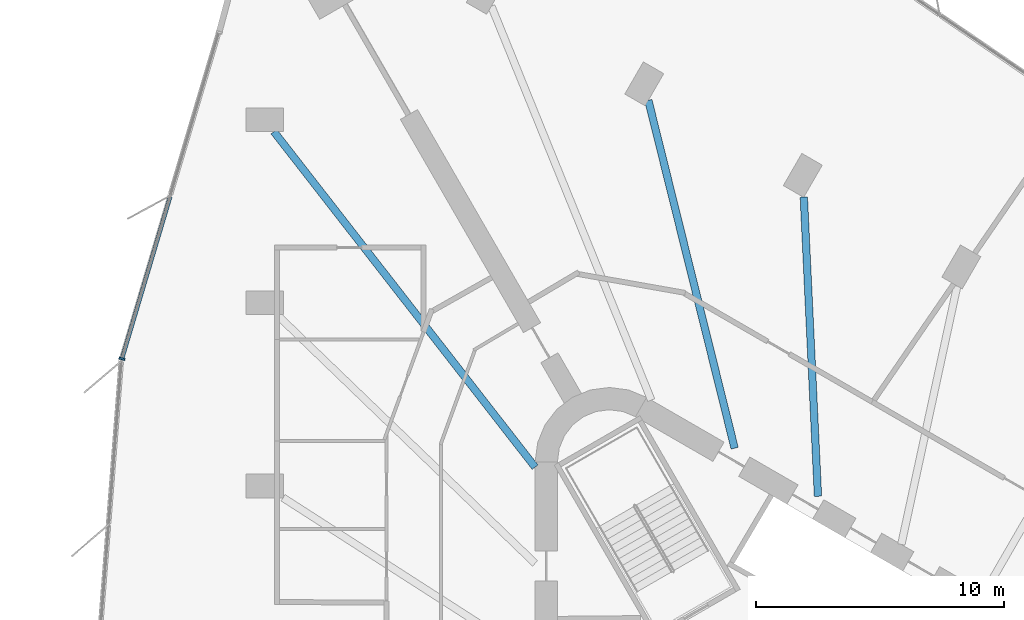
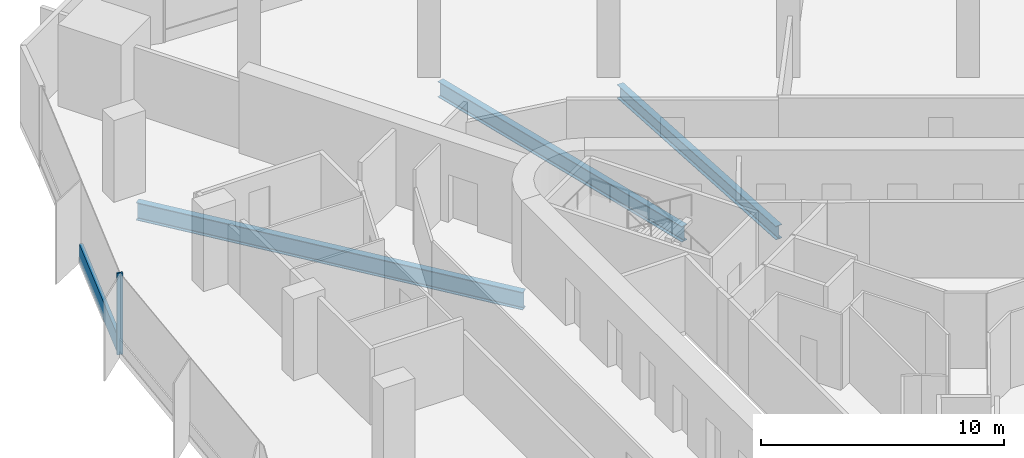
# One storey, part 4 of 15: 3 beams, 2 members, 1 element without a shape of its own.
"""IFC4 building model written with IfcOpenShell, lengths in metres."""

from ifc_helpers import new_model, si_unit, direction, frame, origin, origin_2d, place, context, subcontext, project, spatial, rectangle, i_section, extrude, material, material_profile, profile_set, type_object, element, aggregate, save


model = new_model("IFC4")

# Units and contexts
model_context = context("Model", 3, precision=1e-05, world=origin(), true_north=direction((0.0, 1.0)))
body_context = subcontext(model_context, "Body", "Model", "MODEL_VIEW")
ifc_project = project(units=[si_unit("LENGTHUNIT", "METRE"), si_unit("AREAUNIT", "SQUARE_METRE"), si_unit("VOLUMEUNIT", "CUBIC_METRE"), si_unit("PLANEANGLEUNIT", "RADIAN"), si_unit("MASSUNIT", "GRAM", prefix="KILO")], contexts=[model_context])

# Site, building, storey
site_placement = place(None, origin())
site = spatial("IfcSite", under=ifc_project, at=site_placement, CompositionType="ELEMENT")
building_placement = place(site_placement, origin())
building = spatial("IfcBuilding", under=site, at=building_placement, Name="Tanit Gate Tower", CompositionType="ELEMENT")
storey_placement = place(building_placement, frame((0.0, 0.0, 102.89990234375)))
storey = spatial("IfcBuildingStorey", under=building, at=storey_placement, Name="L21", CompositionType="ELEMENT", Elevation=102.89990234375)

# Curtain wall, member
ifc_material_1 = material(Name="Aluminium bronze anodised and glass", Category="aluminium")
curtain_wall_type = type_object("IfcCurtainWallType", Name="Curtain wall typical low", PredefinedType="NOTDEFINED", material=ifc_material_1)
curtain_wall_placement = place(storey_placement, origin())
curtain_wall = element("IfcCurtainWall", 1, at=curtain_wall_placement, inside=storey, type_object=curtain_wall_type, Name="Curtain wall L21 W1", PredefinedType="NOTDEFINED")
ifc_material_2 = material(Name="Aluminium bronze anodised", Category="aluminium")
ifc_material_profile_1 = material_profile(ifc_material_2, rectangle(XDim=0.239990234375, YDim=0.080078125, at=origin_2d()), Name="80x240 bronze mullion")
ifc_profile_set_1 = profile_set([ifc_material_profile_1], Name="Aluminium bronze anodised")
member_type_1 = type_object("IfcMemberType", Name="Mullion 80x240 typical low", PredefinedType="MULLION", material=ifc_profile_set_1)
member_1_placement = place(storey_placement, frame((-28.783935546875, 19.92041015625, -0.2998046875), z_axis=(0.0, 0.0, 1.0), x_axis=(0.958516563213, -0.285036836298, 0.0)))
member_1 = element("IfcMember", 2, at=member_1_placement, type_object=member_type_1, Name="Mullion L21 W1.3", PredefinedType="MULLION", context=body_context, shape_type="SweptSolid", body=[
    extrude(rectangle(XDim=0.239990234375, YDim=0.080078125, at=origin_2d()), origin(), (0.0, 0.0, 1.0), 4.099853515625),
])

# Beams
ifc_material_3 = material(Name="Steel S355", Category="steel")
ifc_material_profile_2 = material_profile(ifc_material_3, i_section(OverallWidth=0.300048828125, OverallDepth=0.68994140625, WebThickness=0.014404296875, FlangeThickness=0.027099609375, FilletRadius=0.027099609375, at=origin_2d()), Name="HEA 700")
ifc_profile_set_2 = profile_set([ifc_material_profile_2], Name="Steel S355")
beam_type_1 = type_object("IfcBeamType", Name="RADIAL GIRDER HEA 700 S355", PredefinedType="BEAM", material=ifc_profile_set_2)
beam_1_placement = place(storey_placement, frame((-1.251708984375, 26.447509765625, -0.64501953125), z_axis=(0.047276464158, -0.998881842831, 0.0), x_axis=(0.998881842831, 0.047276464158, 0.0)))
element("IfcBeam", 3, at=beam_1_placement, inside=storey, type_object=beam_type_1, Name="RADIAL GIRDER", PredefinedType="BEAM", context=body_context, shape_type="SweptSolid", body=[
    extrude(i_section(OverallWidth=0.300048828125, OverallDepth=0.68994140625, WebThickness=0.014404296875, FlangeThickness=0.027099609375, FilletRadius=0.027099609375, at=origin_2d()), origin(), (0.0, 0.0, 1.0), 12.09423828125),
])
ifc_material_4 = material(Name="Steel S355", Category="steel")
ifc_material_profile_3 = material_profile(ifc_material_4, i_section(OverallWidth=0.300048828125, OverallDepth=0.7900390625, WebThickness=0.014892578125, FlangeThickness=0.028076171875, FilletRadius=0.030029296875, at=origin_2d()), Name="HEA 800")
ifc_profile_set_3 = profile_set([ifc_material_profile_3], Name="Steel S355")
beam_type_2 = type_object("IfcBeamType", Name="RADIAL GIRDER HEA 800 S355", PredefinedType="BEAM", material=ifc_profile_set_3)
beam_2_placement = place(storey_placement, frame((-7.52978515625, 30.356689453125, -0.69482421875), z_axis=(0.240757007067, -0.970585423107, 0.0), x_axis=(0.970585423107, 0.240757007067, 0.0)))
element("IfcBeam", 4, at=beam_2_placement, inside=storey, type_object=beam_type_2, Name="RADIAL GIRDER", PredefinedType="BEAM", context=body_context, shape_type="SweptSolid", body=[
    extrude(i_section(OverallWidth=0.300048828125, OverallDepth=0.7900390625, WebThickness=0.014892578125, FlangeThickness=0.028076171875, FilletRadius=0.030029296875, at=origin_2d()), origin(), (0.0, 0.0, 1.0), 14.47265625),
])
ifc_material_5 = material(Name="Steel S355", Category="steel")
ifc_material_profile_4 = material_profile(ifc_material_5, i_section(OverallWidth=0.300048828125, OverallDepth=0.889892578125, WebThickness=0.01611328125, FlangeThickness=0.030029296875, FilletRadius=0.030029296875, at=origin_2d()), Name="HEA 900")
ifc_profile_set_4 = profile_set([ifc_material_profile_4], Name="Steel S355")
beam_type_3 = type_object("IfcBeamType", Name="RADIAL GIRDER HEA 900 S355", PredefinedType="BEAM", material=ifc_profile_set_4)
beam_3_placement = place(storey_placement, frame((-22.648193359375, 29.0908203125, -0.744873046875), z_axis=(0.614312702857, -0.789062673752, 0.0), x_axis=(0.789062673752, 0.614312702857, 0.0)))
element("IfcBeam", 5, at=beam_3_placement, inside=storey, type_object=beam_type_3, Name="RADIAL GIRDER", PredefinedType="BEAM", context=body_context, shape_type="SweptSolid", body=[
    extrude(i_section(OverallWidth=0.300048828125, OverallDepth=0.889892578125, WebThickness=0.01611328125, FlangeThickness=0.030029296875, FilletRadius=0.030029296875, at=origin_2d()), origin(), (0.0, 0.0, 1.0), 17.16748046875),
])

# Member
ifc_material_6 = material(Name="Aluminium bronze anodised", Category="aluminium")
ifc_material_profile_5 = material_profile(ifc_material_6, rectangle(XDim=0.159912109375, YDim=0.89990234375, at=origin_2d()), Name="160x900 bronze transom")
ifc_profile_set_5 = profile_set([ifc_material_profile_5], Name="Aluminium bronze anodised")
member_type_2 = type_object("IfcMemberType", Name="Transom 160x900 typical low", PredefinedType="USERDEFINED", material=ifc_profile_set_5)
member_2_placement = place(storey_placement, frame((-26.835205078125, 26.47314453125, 0.150146484375), z_axis=(-0.285043413726, -0.95851460724, 0.0), x_axis=(0.95851460724, -0.285043413726, 0.0)))
member_2 = element("IfcMember", 6, at=member_2_placement, type_object=member_type_2, Name="Transom L21 W1.2", ObjectType="TRANSOM", PredefinedType="USERDEFINED", context=body_context, shape_type="SweptSolid", body=[
    extrude(rectangle(XDim=0.159912109375, YDim=0.89990234375, at=origin_2d()), origin(), (0.0, 0.0, 1.0), 6.79638671875),
])

aggregate(curtain_wall, [member_1, member_2])

save(model, "model.ifc")
